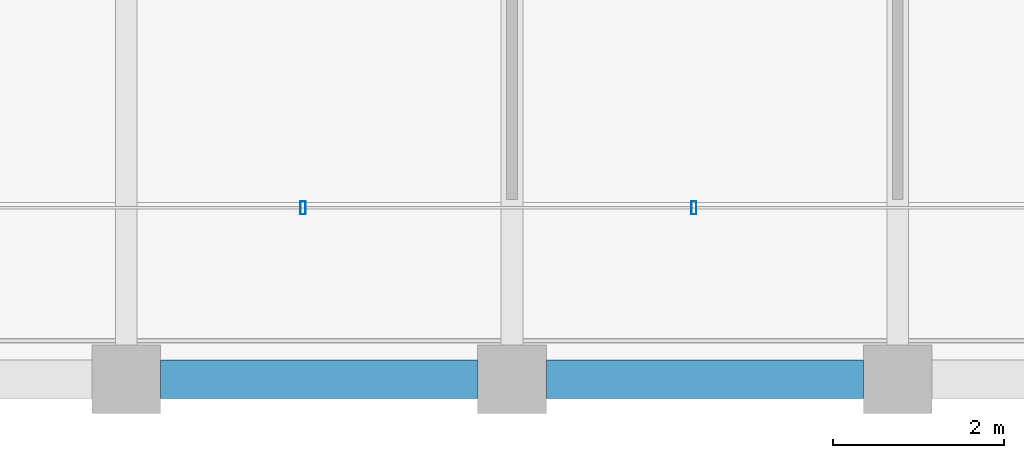
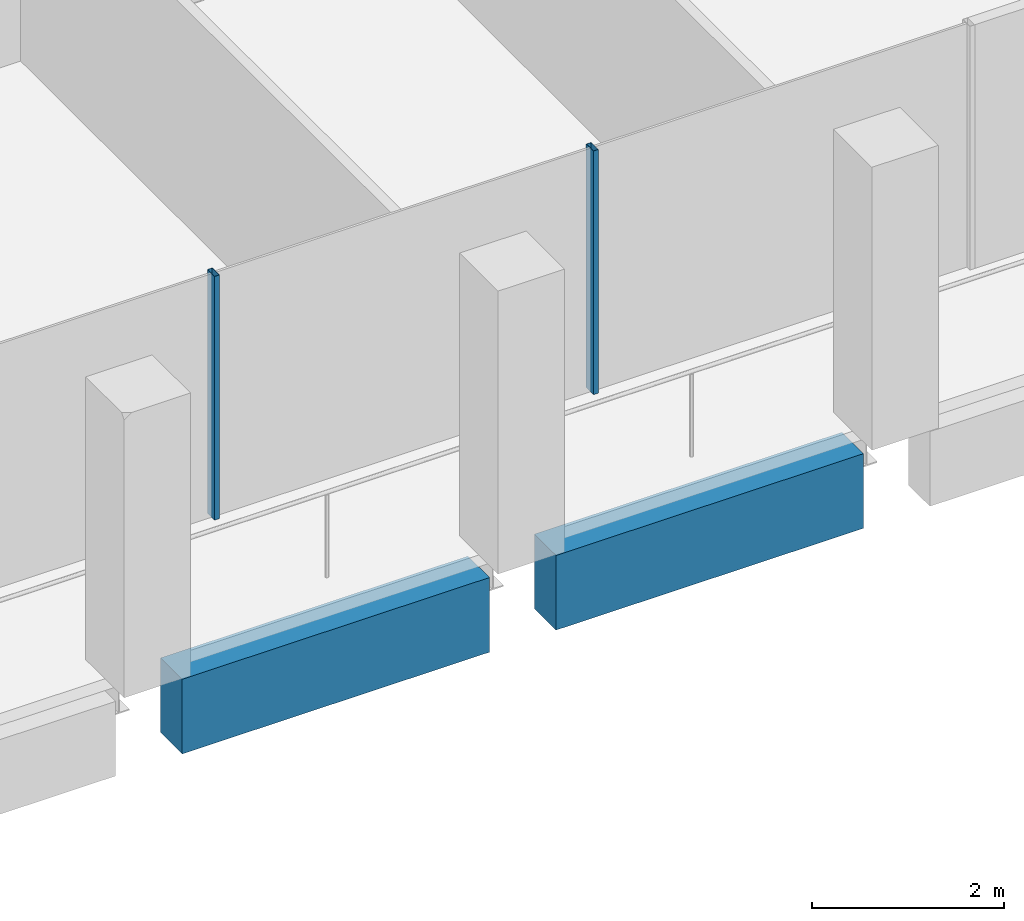
# One storey, part 3 of 30: 2 beams, 2 members, 1 element without a shape of its own.
"""IFC4 building model written with IfcOpenShell, lengths in metres."""

from ifc_helpers import new_model, si_unit, direction, frame, origin, origin_2d, place, context, subcontext, project, spatial, rectangle, hollow_rectangle, extrude, material, material_profile, profile_set, type_object, element, aggregate, save


model = new_model("IFC4")

# Units and contexts
model_context = context("Model", 3, precision=1e-05, world=origin(), true_north=direction((0.0, 1.0)))
body_context = subcontext(model_context, "Body", "Model", "MODEL_VIEW")
ifc_project = project(units=[si_unit("LENGTHUNIT", "METRE"), si_unit("AREAUNIT", "SQUARE_METRE"), si_unit("VOLUMEUNIT", "CUBIC_METRE"), si_unit("PLANEANGLEUNIT", "RADIAN"), si_unit("MASSUNIT", "GRAM", prefix="KILO")], contexts=[model_context])

# Site, building, storey
site_placement = place(None, origin())
site = spatial("IfcSite", under=ifc_project, at=site_placement, CompositionType="ELEMENT")
building_placement = place(site_placement, origin())
building = spatial("IfcBuilding", under=site, at=building_placement, Name="Altepetl Exchange Towers", CompositionType="ELEMENT")
storey_placement = place(building_placement, frame((0.0, 0.0, 231.60009765625)))
storey = spatial("IfcBuildingStorey", under=building, at=storey_placement, Name="L59", CompositionType="ELEMENT", Elevation=231.60009765625)

# Curtain wall, members
ifc_material_1 = material(Name="Aluminium 6063-T6 glazing", Category="aluminium")
curtain_wall_type = type_object("IfcCurtainWallType", Name="Loggia glazing system", PredefinedType="NOTDEFINED", material=ifc_material_1)
curtain_wall_placement = place(storey_placement, origin())
curtain_wall = element("IfcCurtainWall", 1, at=curtain_wall_placement, inside=storey, type_object=curtain_wall_type, Name="CW1 run", PredefinedType="NOTDEFINED")
ifc_material_2 = material(Name="Aluminium 6063-T6", Category="aluminium")
ifc_material_profile_1 = material_profile(ifc_material_2, hollow_rectangle(XDim=0.06005859375, YDim=0.14990234375, WallThickness=0.0029296875, at=origin_2d()), Name="Mullion 60x150 aluminium")
ifc_profile_set_1 = profile_set([ifc_material_profile_1], Name="Aluminium 6063-T6")
member_type = type_object("IfcMemberType", Name="Mullion 60x150 aluminium", PredefinedType="MULLION", material=ifc_profile_set_1)
member_1_placement = place(storey_placement, frame((38.060791015625, 29.0, 0.0)))
member_1 = element("IfcMember", 2, at=member_1_placement, type_object=member_type, Name="MU1 mullion", PredefinedType="MULLION", context=body_context, shape_type="SweptSolid", body=[
    extrude(hollow_rectangle(XDim=0.06005859375, YDim=0.14990234375, WallThickness=0.0029296875, at=origin_2d()), origin(), (0.0, 0.0, 1.0), 3.099853515625),
])
member_2_placement = place(storey_placement, frame((42.621337890625, 29.0, 0.0)))
member_2 = element("IfcMember", 3, at=member_2_placement, type_object=member_type, Name="MU1 mullion", PredefinedType="MULLION", context=body_context, shape_type="SweptSolid", body=[
    extrude(hollow_rectangle(XDim=0.06005859375, YDim=0.14990234375, WallThickness=0.0029296875, at=origin_2d()), origin(), (0.0, 0.0, 1.0), 3.099853515625),
])
aggregate(curtain_wall, [member_1, member_2])

# Beams
ifc_material_3 = material(Name="Concrete C50/60 precast with cantera blanca facing", Category="concrete")
ifc_material_profile_2 = material_profile(ifc_material_3, rectangle(XDim=0.449951171875, YDim=0.949951171875, at=origin_2d()), Name="450 x 950")
ifc_profile_set_2 = profile_set([ifc_material_profile_2], Name="Concrete C50/60 precast with cantera blanca facing")
beam_type = type_object("IfcBeamType", Name="Spandrel beam 450x950 cantera blanca", PredefinedType="SPANDREL", material=ifc_profile_set_2)
for number, where, z_axis, x_axis, name in (
    (4, (36.39990234375, 27.0, -0.625), (1.0, 0.0, 0.0), (0.0, 1.0, 0.0), "sp:A:L59:001"),
    (5, (40.89990234375, 27.0, -0.625), (1.0, 0.0, 0.0), (0.0, 1.0, 0.0), "sp:A:L59:002"),
):
    element("IfcBeam", number, at=place(storey_placement, frame(where, z_axis=z_axis, x_axis=x_axis)), inside=storey, type_object=beam_type, Name=name, PredefinedType="SPANDREL", context=body_context, shape_type="SweptSolid", body=[
        extrude(rectangle(XDim=0.449951171875, YDim=0.949951171875, at=origin_2d()), origin(), (0.0, 0.0, 1.0), 3.7001953125),
    ])

save(model, "model.ifc")
